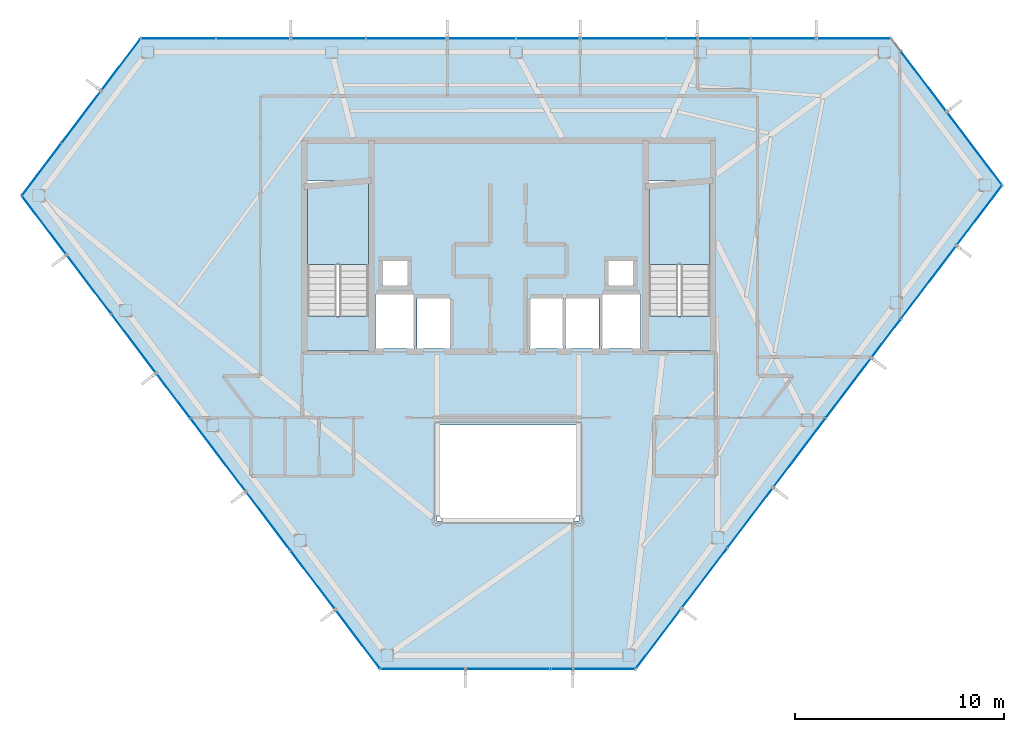
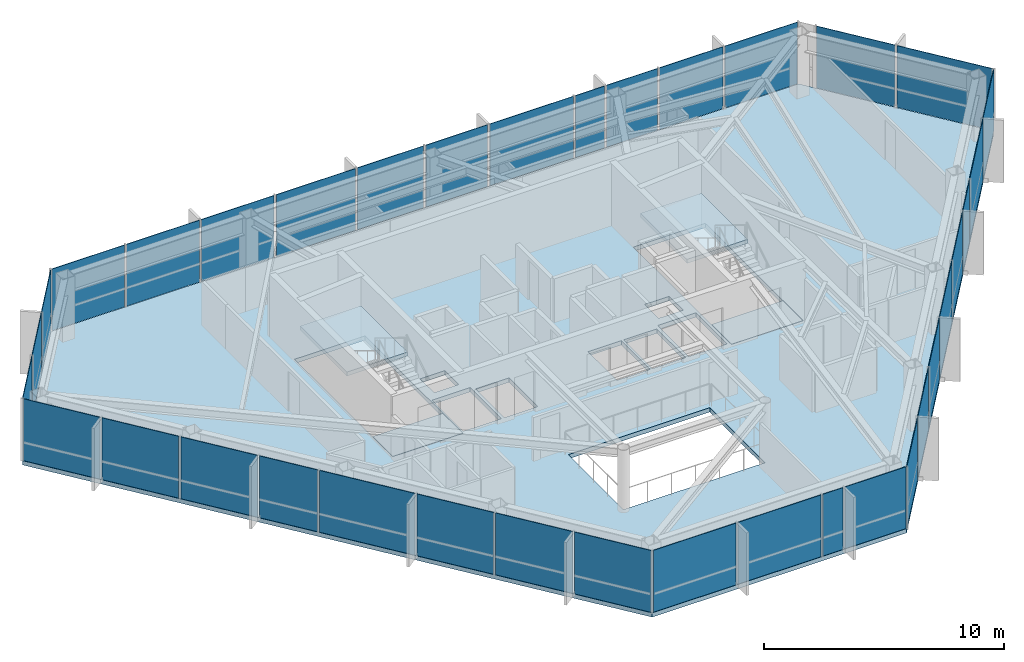
# One storey, part 24 of 28: 36 plates, 5 slabs, 8 elements without a shape of their own.
"""IFC4 building model written with IfcOpenShell, lengths in metres."""

from ifc_helpers import new_model, si_unit, direction, frame, origin, origin_2d, place, context, subcontext, project, spatial, polyline, rectangle, outline, extrude, material, layer, layer_set, type_object, element, aggregate, save


model = new_model("IFC4")

# Units and contexts
model_context = context("Model", 3, precision=1e-05, world=origin(), true_north=direction((0.0, 1.0)))
body_context = subcontext(model_context, "Body", "Model", "MODEL_VIEW")
ifc_project = project(units=[si_unit("LENGTHUNIT", "METRE"), si_unit("AREAUNIT", "SQUARE_METRE"), si_unit("VOLUMEUNIT", "CUBIC_METRE"), si_unit("PLANEANGLEUNIT", "RADIAN"), si_unit("MASSUNIT", "GRAM", prefix="KILO")], contexts=[model_context])

# Site, building, storey
site_placement = place(None, origin())
site = spatial("IfcSite", under=ifc_project, at=site_placement, CompositionType="ELEMENT")
building_placement = place(site_placement, origin())
building = spatial("IfcBuilding", under=site, at=building_placement, Name="Zarrinselat Tower", CompositionType="ELEMENT")
storey_placement = place(building_placement, frame((0.0, 0.0, 222.360107421875)))
storey = spatial("IfcBuildingStorey", under=building, at=storey_placement, Name="L55", CompositionType="ELEMENT", Elevation=222.360107421875)

# Curtain wall, plates
ifc_material_1 = material(Name="Extruded Aluminium Alloy EN AW-6063 T6", Category="aluminium")
ifc_layer_1 = layer(ifc_material_1, 0.169921875)
ifc_layer_set_1 = layer_set([ifc_layer_1], Name="Extruded Aluminium Alloy EN AW-6063 T6")
curtain_wall_type = type_object("IfcCurtainWallType", Name="CWS-RES", PredefinedType="NOTDEFINED", material=ifc_layer_set_1)
curtain_wall_1_placement = place(storey_placement, origin())
curtain_wall_1 = element("IfcCurtainWall", 1, at=curtain_wall_1_placement, inside=storey, type_object=curtain_wall_type, Name="L55 Unitised Curtain Wall CW-L55-E01", PredefinedType="NOTDEFINED")
ifc_material_2 = material(Name="Double Low-E Laminated Solar Glass", Category="glass")
ifc_layer_2 = layer(ifc_material_2, 0.028076171875)
ifc_layer_set_2 = layer_set([ifc_layer_2], Name="Double Low-E Laminated Solar Glass")
plate_type = type_object("IfcPlateType", Name="PLT-CW-GL28", PredefinedType="CURTAIN_PANEL", material=ifc_layer_set_2)
plate_1_placement = place(storey_placement, frame((54.943603515625, 48.29443359375, 0.02001953125), z_axis=(0.0, 0.0, 1.0), x_axis=(-1.0, 0.0, 0.0)))
plate_1 = element("IfcPlate", 2, at=plate_1_placement, type_object=plate_type, Name="CW-L55-E01 Vision Glass Panel 1", PredefinedType="CURTAIN_PANEL", context=body_context, shape_type="SweptSolid", body=[
    extrude(rectangle(XDim=3.491455078125, YDim=0.028076171875, at=origin_2d()), origin(), (0.0, 0.0, 1.0), 3.139892578125),
])
plate_2_placement = place(storey_placement, frame((51.581787109375, 48.29443359375, 0.02001953125), z_axis=(0.0, 0.0, 1.0), x_axis=(-1.0, 0.0, 0.0)))
plate_2 = element("IfcPlate", 3, at=plate_2_placement, type_object=plate_type, Name="CW-L55-E01 Vision Glass Panel 2", PredefinedType="CURTAIN_PANEL", context=body_context, shape_type="SweptSolid", body=[
    extrude(rectangle(XDim=3.03271484375, YDim=0.028076171875, at=origin_2d()), origin(), (0.0, 0.0, 1.0), 3.139892578125),
])
plate_3_placement = place(storey_placement, frame((48.740234375, 48.29443359375, 0.02001953125), z_axis=(0.0, 0.0, 1.0), x_axis=(-1.0, 0.0, 0.0)))
plate_3 = element("IfcPlate", 4, at=plate_3_placement, type_object=plate_type, Name="CW-L55-E01 Vision Glass Panel 3", PredefinedType="CURTAIN_PANEL", context=body_context, shape_type="SweptSolid", body=[
    extrude(rectangle(XDim=2.449951171875, YDim=0.028076171875, at=origin_2d()), origin(), (0.0, 0.0, 1.0), 3.139892578125),
])
plate_4_placement = place(storey_placement, frame((46.71533203125, 48.29443359375, 0.02001953125), z_axis=(0.0, 0.0, 1.0), x_axis=(-1.0, 0.0, 0.0)))
plate_4 = element("IfcPlate", 5, at=plate_4_placement, type_object=plate_type, Name="CW-L55-E01 Vision Glass Panel 4", PredefinedType="CURTAIN_PANEL", context=body_context, shape_type="SweptSolid", body=[
    extrude(rectangle(XDim=1.400146484375, YDim=0.028076171875, at=origin_2d()), origin(), (0.0, 0.0, 1.0), 3.139892578125),
])
plate_5_placement = place(storey_placement, frame((43.910400390625, 48.29443359375, 0.02001953125), z_axis=(0.0, 0.0, 1.0), x_axis=(-1.0, 0.0, 0.0)))
plate_5 = element("IfcPlate", 6, at=plate_5_placement, type_object=plate_type, Name="CW-L55-E01 Vision Glass Panel 5", PredefinedType="CURTAIN_PANEL", context=body_context, shape_type="SweptSolid", body=[
    extrude(rectangle(XDim=4.010009765625, YDim=0.028076171875, at=origin_2d()), origin(), (0.0, 0.0, 1.0), 3.139892578125),
])
plate_6_placement = place(storey_placement, frame((40.31884765625, 48.29443359375, 0.02001953125), z_axis=(0.0, 0.0, 1.0), x_axis=(-1.0, 0.0, 0.0)))
plate_6 = element("IfcPlate", 7, at=plate_6_placement, type_object=plate_type, Name="CW-L55-E01 Vision Glass Panel 6", PredefinedType="CURTAIN_PANEL", context=body_context, shape_type="SweptSolid", body=[
    extrude(rectangle(XDim=2.972900390625, YDim=0.028076171875, at=origin_2d()), origin(), (0.0, 0.0, 1.0), 3.139892578125),
])
plate_7_placement = place(storey_placement, frame((37.14111328125, 48.29443359375, 0.02001953125), z_axis=(0.0, 0.0, 1.0), x_axis=(-1.0, 0.0, 0.0)))
plate_7 = element("IfcPlate", 8, at=plate_7_placement, type_object=plate_type, Name="CW-L55-E01 Vision Glass Panel 7", PredefinedType="CURTAIN_PANEL", context=body_context, shape_type="SweptSolid", body=[
    extrude(rectangle(XDim=3.1826171875, YDim=0.028076171875, at=origin_2d()), origin(), (0.0, 0.0, 1.0), 3.139892578125),
])
plate_8_placement = place(storey_placement, frame((33.5498046875, 48.29443359375, 0.02001953125), z_axis=(0.0, 0.0, 1.0), x_axis=(-1.0, 0.0, 0.0)))
plate_8 = element("IfcPlate", 9, at=plate_8_placement, type_object=plate_type, Name="CW-L55-E01 Vision Glass Panel 8", PredefinedType="CURTAIN_PANEL", context=body_context, shape_type="SweptSolid", body=[
    extrude(rectangle(XDim=3.80029296875, YDim=0.028076171875, at=origin_2d()), origin(), (0.0, 0.0, 1.0), 3.139892578125),
])
plate_9_placement = place(storey_placement, frame((29.803955078125, 48.29443359375, 0.02001953125), z_axis=(0.0, 0.0, 1.0), x_axis=(-1.0, 0.0, 0.0)))
plate_9 = element("IfcPlate", 10, at=plate_9_placement, type_object=plate_type, Name="CW-L55-E01 Vision Glass Panel 9", PredefinedType="CURTAIN_PANEL", context=body_context, shape_type="SweptSolid", body=[
    extrude(rectangle(XDim=3.491455078125, YDim=0.028076171875, at=origin_2d()), origin(), (0.0, 0.0, 1.0), 3.139892578125),
])
plate_10_placement = place(storey_placement, frame((26.212646484375, 48.29443359375, 0.02001953125), z_axis=(0.0, 0.0, 1.0), x_axis=(-1.0, 0.0, 0.0)))
plate_10 = element("IfcPlate", 11, at=plate_10_placement, type_object=plate_type, Name="CW-L55-E01 Vision Glass Panel 10", PredefinedType="CURTAIN_PANEL", context=body_context, shape_type="SweptSolid", body=[
    extrude(rectangle(XDim=3.491455078125, YDim=0.028076171875, at=origin_2d()), origin(), (0.0, 0.0, 1.0), 3.139892578125),
])
plate_11_placement = place(storey_placement, frame((22.62109375, 48.29443359375, 0.02001953125), z_axis=(0.0, 0.0, 1.0), x_axis=(-1.0, 0.0, 0.0)))
plate_11 = element("IfcPlate", 12, at=plate_11_placement, type_object=plate_type, Name="CW-L55-E01 Vision Glass Panel 11", PredefinedType="CURTAIN_PANEL", context=body_context, shape_type="SweptSolid", body=[
    extrude(rectangle(XDim=3.491455078125, YDim=0.028076171875, at=origin_2d()), origin(), (0.0, 0.0, 1.0), 3.139892578125),
])
aggregate(curtain_wall_1, [plate_1, plate_2, plate_3, plate_4, plate_5, plate_6, plate_7, plate_8, plate_9, plate_10, plate_11])

curtain_wall_2_placement = place(storey_placement, origin())
curtain_wall_2 = element("IfcCurtainWall", 13, at=curtain_wall_2_placement, inside=storey, type_object=curtain_wall_type, Name="L55 Unitised Curtain Wall CW-L55-E02", PredefinedType="NOTDEFINED")
plate_12_placement = place(storey_placement, frame((19.875732421875, 47.040771484375, 0.02001953125), z_axis=(0.0, 0.0, 1.0), x_axis=(-0.603865236347, -0.79708642965, 0.0)))
plate_12 = element("IfcPlate", 14, at=plate_12_placement, type_object=plate_type, Name="CW-L55-E02 Vision Glass Panel 1", PredefinedType="CURTAIN_PANEL", context=body_context, shape_type="SweptSolid", body=[
    extrude(rectangle(XDim=3.0458984375, YDim=0.028076171875, at=origin_2d()), origin(), (0.0, 0.0, 1.0), 3.139892578125),
])
plate_13_placement = place(storey_placement, frame((17.97607421875, 44.533203125, 0.02001953125), z_axis=(0.0, 0.0, 1.0), x_axis=(-0.603865236347, -0.79708642965, 0.0)))
plate_13 = element("IfcPlate", 15, at=plate_13_placement, type_object=plate_type, Name="CW-L55-E02 Vision Glass Panel 2", PredefinedType="CURTAIN_PANEL", context=body_context, shape_type="SweptSolid", body=[
    extrude(rectangle(XDim=3.0458984375, YDim=0.028076171875, at=origin_2d()), origin(), (0.0, 0.0, 1.0), 3.139892578125),
])
plate_14_placement = place(storey_placement, frame((16.076416015625, 42.025634765625, 0.02001953125), z_axis=(0.0, 0.0, 1.0), x_axis=(-0.603865236347, -0.79708642965, 0.0)))
plate_14 = element("IfcPlate", 16, at=plate_14_placement, type_object=plate_type, Name="CW-L55-E02 Vision Glass Panel 3", PredefinedType="CURTAIN_PANEL", context=body_context, shape_type="SweptSolid", body=[
    extrude(rectangle(XDim=3.0458984375, YDim=0.028076171875, at=origin_2d()), origin(), (0.0, 0.0, 1.0), 3.139892578125),
])
aggregate(curtain_wall_2, [plate_12, plate_13, plate_14])

curtain_wall_3_placement = place(storey_placement, origin())
curtain_wall_3 = element("IfcCurtainWall", 17, at=curtain_wall_3_placement, inside=storey, type_object=curtain_wall_type, Name="L55 Unitised Curtain Wall CW-L55-E03", PredefinedType="NOTDEFINED")
plate_15_placement = place(storey_placement, frame((16.19921875, 39.35595703125, 0.02001953125), z_axis=(0.0, 0.0, 1.0), x_axis=(0.603859787908, -0.797090557307, 0.0)))
plate_15 = element("IfcPlate", 18, at=plate_15_placement, type_object=plate_type, Name="CW-L55-E03 Vision Glass Panel 1", PredefinedType="CURTAIN_PANEL", context=body_context, shape_type="SweptSolid", body=[
    extrude(rectangle(XDim=3.452880859375, YDim=0.028076171875, at=origin_2d()), origin(), (0.0, 0.0, 1.0), 3.139892578125),
])
plate_16_placement = place(storey_placement, frame((18.3447265625, 36.524169921875, 0.02001953125), z_axis=(0.0, 0.0, 1.0), x_axis=(0.603859787908, -0.797090557307, 0.0)))
plate_16 = element("IfcPlate", 19, at=plate_16_placement, type_object=plate_type, Name="CW-L55-E03 Vision Glass Panel 2", PredefinedType="CURTAIN_PANEL", context=body_context, shape_type="SweptSolid", body=[
    extrude(rectangle(XDim=3.452880859375, YDim=0.028076171875, at=origin_2d()), origin(), (0.0, 0.0, 1.0), 3.139892578125),
])
plate_17_placement = place(storey_placement, frame((20.489990234375, 33.692138671875, 0.02001953125), z_axis=(0.0, 0.0, 1.0), x_axis=(0.603859787908, -0.797090557307, 0.0)))
plate_17 = element("IfcPlate", 20, at=plate_17_placement, type_object=plate_type, Name="CW-L55-E03 Vision Glass Panel 3", PredefinedType="CURTAIN_PANEL", context=body_context, shape_type="SweptSolid", body=[
    extrude(rectangle(XDim=3.452880859375, YDim=0.028076171875, at=origin_2d()), origin(), (0.0, 0.0, 1.0), 3.139892578125),
])
plate_18_placement = place(storey_placement, frame((22.3818359375, 31.195068359375, 0.02001953125), z_axis=(0.0, 0.0, 1.0), x_axis=(0.603859787908, -0.797090557307, 0.0)))
plate_18 = element("IfcPlate", 21, at=plate_18_placement, type_object=plate_type, Name="CW-L55-E03 Vision Glass Panel 4", PredefinedType="CURTAIN_PANEL", context=body_context, shape_type="SweptSolid", body=[
    extrude(rectangle(XDim=2.613037109375, YDim=0.028076171875, at=origin_2d()), origin(), (0.0, 0.0, 1.0), 3.139892578125),
])
plate_19_placement = place(storey_placement, frame((24.52734375, 28.363037109375, 0.02001953125), z_axis=(0.0, 0.0, 1.0), x_axis=(0.603859787908, -0.797090557307, 0.0)))
plate_19 = element("IfcPlate", 22, at=plate_19_placement, type_object=plate_type, Name="CW-L55-E03 Vision Glass Panel 5", PredefinedType="CURTAIN_PANEL", context=body_context, shape_type="SweptSolid", body=[
    extrude(rectangle(XDim=4.29248046875, YDim=0.028076171875, at=origin_2d()), origin(), (0.0, 0.0, 1.0), 3.139892578125),
])
plate_20_placement = place(storey_placement, frame((26.92626953125, 25.196533203125, 0.02001953125), z_axis=(0.0, 0.0, 1.0), x_axis=(0.603859787908, -0.797090557307, 0.0)))
plate_20 = element("IfcPlate", 23, at=plate_20_placement, type_object=plate_type, Name="CW-L55-E03 Vision Glass Panel 6", PredefinedType="CURTAIN_PANEL", context=body_context, shape_type="SweptSolid", body=[
    extrude(rectangle(XDim=3.452880859375, YDim=0.028076171875, at=origin_2d()), origin(), (0.0, 0.0, 1.0), 3.139892578125),
])
plate_21_placement = place(storey_placement, frame((29.07177734375, 22.364501953125, 0.02001953125), z_axis=(0.0, 0.0, 1.0), x_axis=(0.603859787908, -0.797090557307, 0.0)))
plate_21 = element("IfcPlate", 24, at=plate_21_placement, type_object=plate_type, Name="CW-L55-E03 Vision Glass Panel 7", PredefinedType="CURTAIN_PANEL", context=body_context, shape_type="SweptSolid", body=[
    extrude(rectangle(XDim=3.452880859375, YDim=0.028076171875, at=origin_2d()), origin(), (0.0, 0.0, 1.0), 3.139892578125),
])
plate_22_placement = place(storey_placement, frame((31.217041015625, 19.53271484375, 0.02001953125), z_axis=(0.0, 0.0, 1.0), x_axis=(0.603859787908, -0.797090557307, 0.0)))
plate_22 = element("IfcPlate", 25, at=plate_22_placement, type_object=plate_type, Name="CW-L55-E03 Vision Glass Panel 8", PredefinedType="CURTAIN_PANEL", context=body_context, shape_type="SweptSolid", body=[
    extrude(rectangle(XDim=3.452880859375, YDim=0.028076171875, at=origin_2d()), origin(), (0.0, 0.0, 1.0), 3.139892578125),
])
aggregate(curtain_wall_3, [plate_15, plate_16, plate_17, plate_18, plate_19, plate_20, plate_21, plate_22])

curtain_wall_4_placement = place(storey_placement, origin())
curtain_wall_4 = element("IfcCurtainWall", 26, at=curtain_wall_4_placement, inside=storey, type_object=curtain_wall_type, Name="L55 Unitised Curtain Wall CW-L55-E04", PredefinedType="NOTDEFINED")
plate_23_placement = place(storey_placement, frame((34.326416015625, 18.11669921875, 0.02001953125), z_axis=(0.0, 0.0, 1.0), x_axis=(1.0, 0.0, 0.0)))
plate_23 = element("IfcPlate", 27, at=plate_23_placement, type_object=plate_type, Name="CW-L55-E04 Vision Glass Panel 1", PredefinedType="CURTAIN_PANEL", context=body_context, shape_type="SweptSolid", body=[
    extrude(rectangle(XDim=3.973388671875, YDim=0.028076171875, at=origin_2d()), origin(), (0.0, 0.0, 1.0), 3.139892578125),
])
plate_24_placement = place(storey_placement, frame((38.39990234375, 18.11669921875, 0.02001953125), z_axis=(0.0, 0.0, 1.0), x_axis=(1.0, 0.0, 0.0)))
plate_24 = element("IfcPlate", 28, at=plate_24_placement, type_object=plate_type, Name="CW-L55-E04 Vision Glass Panel 2", PredefinedType="CURTAIN_PANEL", context=body_context, shape_type="SweptSolid", body=[
    extrude(rectangle(XDim=3.973388671875, YDim=0.028076171875, at=origin_2d()), origin(), (0.0, 0.0, 1.0), 3.139892578125),
])
plate_25_placement = place(storey_placement, frame((40.968505859375, 18.11669921875, 0.02001953125), z_axis=(0.0, 0.0, 1.0), x_axis=(1.0, 0.0, 0.0)))
plate_25 = element("IfcPlate", 29, at=plate_25_placement, type_object=plate_type, Name="CW-L55-E04 Vision Glass Panel 3", PredefinedType="CURTAIN_PANEL", context=body_context, shape_type="SweptSolid", body=[
    extrude(rectangle(XDim=0.96337890625, YDim=0.028076171875, at=origin_2d()), origin(), (0.0, 0.0, 1.0), 3.139892578125),
])
plate_26_placement = place(storey_placement, frame((43.005126953125, 18.11669921875, 0.02001953125), z_axis=(0.0, 0.0, 1.0), x_axis=(1.0, 0.0, 0.0)))
plate_26 = element("IfcPlate", 30, at=plate_26_placement, type_object=plate_type, Name="CW-L55-E04 Vision Glass Panel 4", PredefinedType="CURTAIN_PANEL", context=body_context, shape_type="SweptSolid", body=[
    extrude(rectangle(XDim=2.91015625, YDim=0.028076171875, at=origin_2d()), origin(), (0.0, 0.0, 1.0), 3.139892578125),
])
aggregate(curtain_wall_4, [plate_23, plate_24, plate_25, plate_26])

curtain_wall_5_placement = place(storey_placement, origin())
curtain_wall_5 = element("IfcCurtainWall", 31, at=curtain_wall_5_placement, inside=storey, type_object=curtain_wall_type, Name="L55 Unitised Curtain Wall CW-L55-E05", PredefinedType="NOTDEFINED")
plate_27_placement = place(storey_placement, frame((45.606689453125, 19.564208984375, 0.02001953125), z_axis=(0.0, 0.0, 1.0), x_axis=(0.603859212041, 0.797090993572, 0.0)))
plate_27 = element("IfcPlate", 32, at=plate_27_placement, type_object=plate_type, Name="CW-L55-E05 Vision Glass Panel 1", PredefinedType="CURTAIN_PANEL", context=body_context, shape_type="SweptSolid", body=[
    extrude(rectangle(XDim=3.531982421875, YDim=0.028076171875, at=origin_2d()), origin(), (0.0, 0.0, 1.0), 3.139892578125),
])
plate_28_placement = place(storey_placement, frame((47.800048828125, 22.459228515625, 0.02001953125), z_axis=(0.0, 0.0, 1.0), x_axis=(0.603859212041, 0.797090993572, 0.0)))
plate_28 = element("IfcPlate", 33, at=plate_28_placement, type_object=plate_type, Name="CW-L55-E05 Vision Glass Panel 2", PredefinedType="CURTAIN_PANEL", context=body_context, shape_type="SweptSolid", body=[
    extrude(rectangle(XDim=3.531982421875, YDim=0.028076171875, at=origin_2d()), origin(), (0.0, 0.0, 1.0), 3.139892578125),
])
plate_29_placement = place(storey_placement, frame((49.9931640625, 25.354248046875, 0.02001953125), z_axis=(0.0, 0.0, 1.0), x_axis=(0.603859212041, 0.797090993572, 0.0)))
plate_29 = element("IfcPlate", 34, at=plate_29_placement, type_object=plate_type, Name="CW-L55-E05 Vision Glass Panel 3", PredefinedType="CURTAIN_PANEL", context=body_context, shape_type="SweptSolid", body=[
    extrude(rectangle(XDim=3.531982421875, YDim=0.028076171875, at=origin_2d()), origin(), (0.0, 0.0, 1.0), 3.139892578125),
])
plate_30_placement = place(storey_placement, frame((52.344482421875, 28.457763671875, 0.02001953125), z_axis=(0.0, 0.0, 1.0), x_axis=(0.603859212041, 0.797090993572, 0.0)))
plate_30 = element("IfcPlate", 35, at=plate_30_placement, type_object=plate_type, Name="CW-L55-E05 Vision Glass Panel 4", PredefinedType="CURTAIN_PANEL", context=body_context, shape_type="SweptSolid", body=[
    extrude(rectangle(XDim=4.05517578125, YDim=0.028076171875, at=origin_2d()), origin(), (0.0, 0.0, 1.0), 3.139892578125),
])
plate_31_placement = place(storey_placement, frame((54.695068359375, 31.560546875, 0.02001953125), z_axis=(0.0, 0.0, 1.0), x_axis=(0.603859212041, 0.797090993572, 0.0)))
plate_31 = element("IfcPlate", 36, at=plate_31_placement, type_object=plate_type, Name="CW-L55-E05 Vision Glass Panel 5", PredefinedType="CURTAIN_PANEL", context=body_context, shape_type="SweptSolid", body=[
    extrude(rectangle(XDim=3.530029296875, YDim=0.028076171875, at=origin_2d()), origin(), (0.0, 0.0, 1.0), 3.139892578125),
])
plate_32_placement = place(storey_placement, frame((56.49462890625, 33.93603515625, 0.02001953125), z_axis=(0.0, 0.0, 1.0), x_axis=(0.603859212041, 0.797090993572, 0.0)))
plate_32 = element("IfcPlate", 37, at=plate_32_placement, type_object=plate_type, Name="CW-L55-E05 Vision Glass Panel 6", PredefinedType="CURTAIN_PANEL", context=body_context, shape_type="SweptSolid", body=[
    extrude(rectangle(XDim=2.230712890625, YDim=0.028076171875, at=origin_2d()), origin(), (0.0, 0.0, 1.0), 3.139892578125),
])
plate_33_placement = place(storey_placement, frame((58.530517578125, 36.623291015625, 0.02001953125), z_axis=(0.0, 0.0, 1.0), x_axis=(0.603859212041, 0.797090993572, 0.0)))
plate_33 = element("IfcPlate", 38, at=plate_33_placement, type_object=plate_type, Name="CW-L55-E05 Vision Glass Panel 7", PredefinedType="CURTAIN_PANEL", context=body_context, shape_type="SweptSolid", body=[
    extrude(rectangle(XDim=4.31201171875, YDim=0.028076171875, at=origin_2d()), origin(), (0.0, 0.0, 1.0), 3.139892578125),
])
plate_34_placement = place(storey_placement, frame((60.959228515625, 39.829345703125, 0.02001953125), z_axis=(0.0, 0.0, 1.0), x_axis=(0.603859212041, 0.797090993572, 0.0)))
plate_34 = element("IfcPlate", 39, at=plate_34_placement, type_object=plate_type, Name="CW-L55-E05 Vision Glass Panel 8", PredefinedType="CURTAIN_PANEL", context=body_context, shape_type="SweptSolid", body=[
    extrude(rectangle(XDim=3.531982421875, YDim=0.028076171875, at=origin_2d()), origin(), (0.0, 0.0, 1.0), 3.139892578125),
])
aggregate(curtain_wall_5, [plate_27, plate_28, plate_29, plate_30, plate_31, plate_32, plate_33, plate_34])

curtain_wall_6_placement = place(storey_placement, origin())
curtain_wall_6 = element("IfcCurtainWall", 40, at=curtain_wall_6_placement, inside=storey, type_object=curtain_wall_type, Name="L55 Unitised Curtain Wall CW-L55-E06", PredefinedType="NOTDEFINED")
plate_35_placement = place(storey_placement, frame((60.726806640625, 43.03125, 0.02001953125), z_axis=(0.0, 0.0, 1.0), x_axis=(-0.603860312232, 0.797090160089, 0.0)))
plate_35 = element("IfcPlate", 41, at=plate_35_placement, type_object=plate_type, Name="CW-L55-E06 Vision Glass Panel 1", PredefinedType="CURTAIN_PANEL", context=body_context, shape_type="SweptSolid", body=[
    extrude(rectangle(XDim=4.302001953125, YDim=0.028076171875, at=origin_2d()), origin(), (0.0, 0.0, 1.0), 3.139892578125),
])
plate_36_placement = place(storey_placement, frame((58.298095703125, 46.237060546875, 0.02001953125), z_axis=(0.0, 0.0, 1.0), x_axis=(-0.603860312232, 0.797090160089, 0.0)))
plate_36 = element("IfcPlate", 42, at=plate_36_placement, type_object=plate_type, Name="CW-L55-E06 Vision Glass Panel 2", PredefinedType="CURTAIN_PANEL", context=body_context, shape_type="SweptSolid", body=[
    extrude(rectangle(XDim=3.5419921875, YDim=0.028076171875, at=origin_2d()), origin(), (0.0, 0.0, 1.0), 3.139892578125),
])
aggregate(curtain_wall_6, [plate_35, plate_36])

# Slabs
ifc_material_3 = material(Name="Concrete C40/50", Category="concrete")
ifc_layer_3 = layer(ifc_material_3, 0.219970703125)
ifc_layer_set_3 = layer_set([ifc_layer_3], Name="Concrete C40/50")
slab_type_1 = type_object("IfcSlabType", Name="SLB-FLOOR-220-SL-RS220", PredefinedType="FLOOR", material=ifc_layer_set_3)
slab_1_placement = place(storey_placement, frame((0.0, 0.0, -0.22021484375)))
element("IfcSlab", 43, at=slab_1_placement, inside=storey, type_object=slab_type_1, Name="L55 Primary Structural Slab", PredefinedType="FLOOR", context=body_context, shape_type="SweptSolid", body=[
    extrude(outline(polyline([(56.739501953125, 48.29443359375), (20.825439453125, 48.29443359375), (15.126708984375, 40.77197265625), (32.289794921875, 18.11669921875), (44.51025390625, 18.11669921875), (62.055908203125, 41.27685546875), (56.739501953125, 48.29443359375)]), holes=[polyline([(41.800048828125, 25.199951171875), (35.0, 25.199951171875), (35.0, 29.800048828125), (41.800048828125, 29.800048828125), (41.800048828125, 25.199951171875)]), polyline([(35.64990234375, 33.449951171875), (34.050048828125, 33.449951171875), (34.050048828125, 35.85009765625), (35.64990234375, 35.85009765625), (35.64990234375, 33.449951171875)]), polyline([(41.050048828125, 33.449951171875), (39.449951171875, 33.449951171875), (39.449951171875, 35.85009765625), (41.050048828125, 35.85009765625), (41.050048828125, 33.449951171875)]), polyline([(41.14990234375, 33.449951171875), (41.14990234375, 35.85009765625), (42.75, 35.85009765625), (42.75, 33.449951171875), (41.14990234375, 33.449951171875)]), polyline([(32.06005859375, 33.449951171875), (32.06005859375, 36.050048828125), (33.89990234375, 36.050048828125), (33.89990234375, 33.449951171875), (32.06005859375, 33.449951171875)]), polyline([(44.739990234375, 33.449951171875), (42.89990234375, 33.449951171875), (42.89990234375, 36.050048828125), (44.739990234375, 36.050048828125), (44.739990234375, 33.449951171875)]), polyline([(33.60009765625, 36.47998046875), (32.419921875, 36.47998046875), (32.419921875, 37.639892578125), (33.60009765625, 37.639892578125), (33.60009765625, 36.47998046875)]), polyline([(44.3798828125, 36.47998046875), (43.199951171875, 36.47998046875), (43.199951171875, 37.639892578125), (44.3798828125, 37.639892578125), (44.3798828125, 36.47998046875)]), polyline([(31.985107421875, 33.324951171875), (28.60498046875, 33.324951171875), (28.60498046875, 41.47509765625), (31.985107421875, 41.47509765625), (31.985107421875, 33.324951171875)]), polyline([(48.324951171875, 33.324951171875), (44.875, 33.324951171875), (44.875, 41.47509765625), (48.324951171875, 41.47509765625), (48.324951171875, 33.324951171875)])]), origin(), (0.0, 0.0, 1.0), 0.22021484375),
])
slab_2_placement = place(storey_placement, frame((0.0, 0.0, -0.22021484375)))
element("IfcSlab", 44, at=slab_2_placement, inside=storey, type_object=slab_type_1, Name="L55 Stair ST-1-FL1 Structural Floor Landing", PredefinedType="FLOOR", context=body_context, shape_type="SweptSolid", body=[
    extrude(outline(polyline([(31.97998046875, 33.330078125), (31.97998046875, 35.0), (28.610107421875, 35.0), (28.610107421875, 33.330078125), (31.97998046875, 33.330078125)])), origin(), (0.0, 0.0, 1.0), 0.22021484375),
])
slab_3_placement = place(storey_placement, frame((0.0, 0.0, -0.22021484375)))
element("IfcSlab", 45, at=slab_3_placement, inside=storey, type_object=slab_type_1, Name="L55 Stair ST-2-FL1 Structural Floor Landing", PredefinedType="FLOOR", context=body_context, shape_type="SweptSolid", body=[
    extrude(outline(polyline([(48.320068359375, 33.330078125), (48.320068359375, 35.0), (44.8798828125, 35.0), (44.8798828125, 33.330078125), (48.320068359375, 33.330078125)])), origin(), (0.0, 0.0, 1.0), 0.22021484375),
])

# Stair, slab
ifc_material_4 = material(Name="Concrete C40/50", Category="concrete")
stair_type = type_object("IfcStairType", Name="STR-CORE-155", PredefinedType="HALF_TURN_STAIR", material=ifc_material_4)
stair_1_placement = place(storey_placement, origin())
stair_1 = element("IfcStair", 46, at=stair_1_placement, inside=storey, type_object=stair_type, Name="L55 Core Exit Stair 1", PredefinedType="HALF_TURN_STAIR")
ifc_material_5 = material(Name="Concrete C40/50", Category="concrete")
ifc_layer_4 = layer(ifc_material_5, 0.18994140625)
ifc_layer_set_4 = layer_set([ifc_layer_4], Name="Concrete C40/50")
slab_type_2 = type_object("IfcSlabType", Name="SLB-LND-190", PredefinedType="LANDING", material=ifc_layer_set_4)
slab_4_placement = place(storey_placement, frame((0.0, 0.0, 1.5)))
slab_4 = element("IfcSlab", 47, at=slab_4_placement, type_object=slab_type_2, Name="ST-1 landing 1", PredefinedType="LANDING", context=body_context, shape_type="SweptSolid", body=[
    extrude(outline(polyline([(31.719970703125, 37.47998046875), (31.719970703125, 41.35009765625), (28.800048828125, 41.35009765625), (28.800048828125, 37.47998046875), (31.719970703125, 37.47998046875)])), origin(), (0.0, 0.0, 1.0), 0.199951171875),
])
aggregate(stair_1, [slab_4])

stair_2_placement = place(storey_placement, origin())
stair_2 = element("IfcStair", 48, at=stair_2_placement, inside=storey, type_object=stair_type, Name="L55 Core Exit Stair 2", PredefinedType="HALF_TURN_STAIR")
slab_5_placement = place(storey_placement, frame((0.0, 0.0, 1.5)))
slab_5 = element("IfcSlab", 49, at=slab_5_placement, type_object=slab_type_2, Name="ST-2 landing 1", PredefinedType="LANDING", context=body_context, shape_type="SweptSolid", body=[
    extrude(outline(polyline([(48.06005859375, 37.47998046875), (48.06005859375, 41.35009765625), (45.139892578125, 41.35009765625), (45.139892578125, 37.47998046875), (48.06005859375, 37.47998046875)])), origin(), (0.0, 0.0, 1.0), 0.199951171875),
])
aggregate(stair_2, [slab_5])

save(model, "model.ifc")
